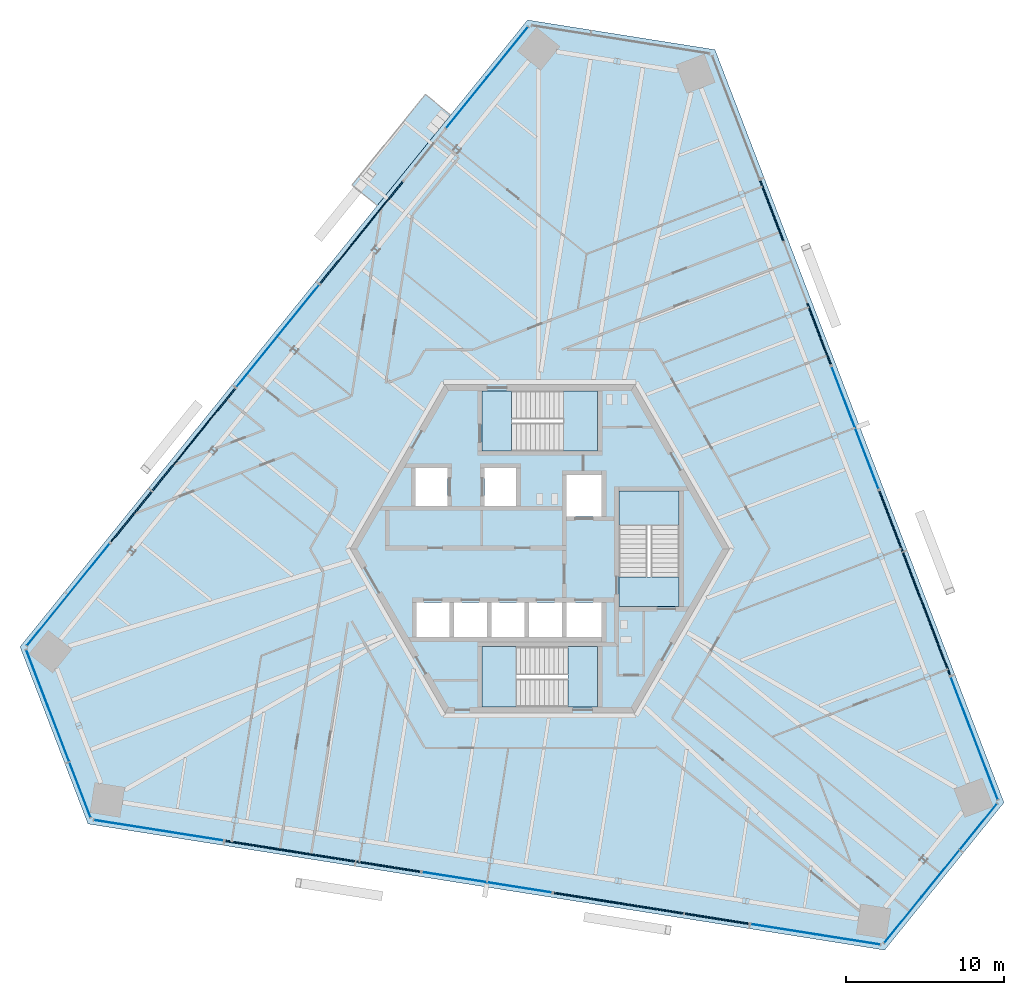
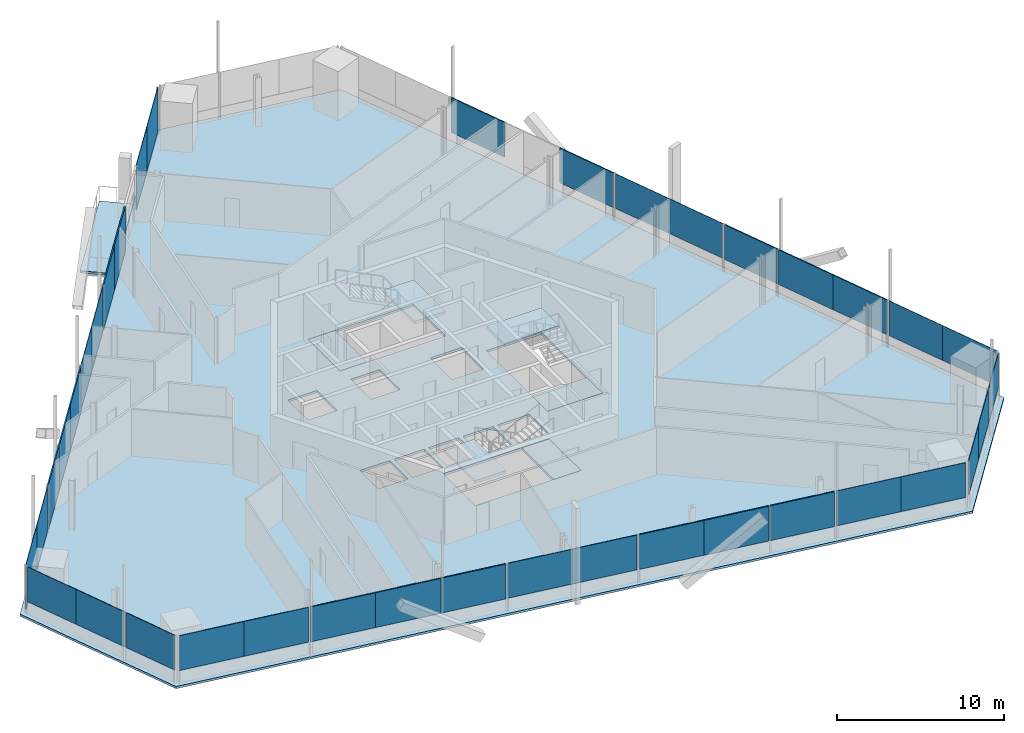
# One storey, part 10 of 21: 38 plates, 8 slabs, 19 elements without a shape of their own.
"""IFC4 building model written with IfcOpenShell, lengths in metres."""

from ifc_helpers import new_model, si_unit, direction, frame, origin, origin_2d, place, context, subcontext, project, spatial, polyline, rectangle, outline, extrude, source, transform, mapped, material, layer, layer_set, type_object, element, aggregate, save


model = new_model("IFC4")

# Units and contexts
model_context = context("Model", 3, precision=1e-05, world=origin(), true_north=direction((0.0, 1.0)))
body_context = subcontext(model_context, "Body", "Model", "MODEL_VIEW")
ifc_project = project(units=[si_unit("LENGTHUNIT", "METRE"), si_unit("AREAUNIT", "SQUARE_METRE"), si_unit("VOLUMEUNIT", "CUBIC_METRE"), si_unit("PLANEANGLEUNIT", "RADIAN"), si_unit("MASSUNIT", "GRAM", prefix="KILO")], contexts=[model_context])

# Site, building, storey
site_placement = place(None, origin())
site = spatial("IfcSite", under=ifc_project, at=site_placement, CompositionType="ELEMENT")
building_placement = place(site_placement, origin())
building = spatial("IfcBuilding", under=site, at=building_placement, Name="Triune Harvest Tower", CompositionType="ELEMENT")
storey_placement = place(building_placement, frame((0.0, 0.0, 160.5)))
storey = spatial("IfcBuildingStorey", under=building, at=storey_placement, Name="L41", CompositionType="ELEMENT", Elevation=160.5)

# Slab
ifc_material_1 = material(Name="Concrete 40 MPa", Category="concrete")
ifc_layer_1 = layer(ifc_material_1, 0.159912109375)
ifc_layer_set_1 = layer_set([ifc_layer_1], Name="Concrete 40 MPa")
slab_type_1 = type_object("IfcSlabType", Name="BA-1 balcony slab 160", PredefinedType="FLOOR", material=ifc_layer_set_1)
slab_1_placement = place(storey_placement, frame((0.0, 0.0, -0.159912109375)))
element("IfcSlab", 1, at=slab_1_placement, inside=storey, type_object=slab_type_1, Name="Balcony slab B4-F3 L41.3", PredefinedType="FLOOR", context=body_context, shape_type="SweptSolid", body=[
    extrude(outline(polyline([(-5.64013671875, 27.43798828125), (-10.2822265625, 21.705810546875), (-11.88427734375, 23.0029296875), (-7.2421875, 28.7353515625), (-5.64013671875, 27.43798828125)])), origin(), (0.0, 0.0, 1.0), 0.159912109375),
])

# Curtain wall, plate
ifc_material_2 = material(Name="Aluminium bronze anodised", Category="aluminium")
curtain_wall_type_1 = type_object("IfcCurtainWallType", Name="CW-10 Balcony window wall with insulated spandrel infill", PredefinedType="NOTDEFINED", material=ifc_material_2)
curtain_wall_1_placement = place(storey_placement, origin())
curtain_wall_1 = element("IfcCurtainWall", 2, at=curtain_wall_1_placement, inside=storey, type_object=curtain_wall_type_1, Name="CW-10 B4-F3 L41 run 2002")
ifc_material_3 = material(Name="Insulated spandrel panel, bronze aluminium pan", Category="aluminium")
ifc_layer_2 = layer(ifc_material_3, 0.080078125)
ifc_layer_set_2 = layer_set([ifc_layer_2], Name="Insulated spandrel panel, bronze aluminium pan")
plate_type_1 = type_object("IfcPlateType", Name="SP-1 insulated spandrel panel 80", PredefinedType="CURTAIN_PANEL", material=ifc_layer_set_2)
plate_1_placement = place(storey_placement, frame((-25.83740234375, 2.02001953125, 0.14990234375), z_axis=(0.0, 0.0, 1.0), x_axis=(-0.629317539971, -0.777148270206, 0.0)))
plate_1 = element("IfcPlate", 3, at=plate_1_placement, type_object=plate_type_1, Name="CW-10 panel B4-F3 2002.3", PredefinedType="CURTAIN_PANEL", context=body_context, shape_type="SweptSolid", body=[
    extrude(rectangle(XDim=4.0986328125, YDim=0.080078125, at=origin_2d()), origin(), (0.0, 0.0, 1.0), 3.2900390625),
])

# Slab
ifc_material_4 = material(Name="Concrete 40 MPa", Category="concrete")
ifc_layer_3 = layer(ifc_material_4, 0.159912109375)
ifc_layer_set_3 = layer_set([ifc_layer_3], Name="Concrete 40 MPa")
slab_type_2 = type_object("IfcSlabType", Name="SL-1 Composite floor slab 160", PredefinedType="FLOOR", material=ifc_layer_set_3)
shared_shape_1 = source(origin(), body_context, "Body", "SweptSolid", [
    extrude(outline(polyline([(29.35107421875, -16.04736328125), (11.07421875, 31.565185546875), (-0.778076171875, 33.4423828125), (-32.873291015625, -6.19189453125), (-28.572998046875, -17.39501953125), (21.799072265625, -25.373291015625), (29.35107421875, -16.04736328125)]), holes=[polyline([(-5.72509765625, -5.590087890625), (-5.72509765625, -3.389892578125), (-7.800048828125, -3.389892578125), (-7.800048828125, -5.590087890625), (-5.72509765625, -5.590087890625)]), polyline([(-3.35009765625, -5.590087890625), (-3.35009765625, -3.389892578125), (-5.425048828125, -3.389892578125), (-5.425048828125, -5.590087890625), (-3.35009765625, -5.590087890625)]), polyline([(-0.97509765625, -5.590087890625), (-0.97509765625, -3.389892578125), (-3.050048828125, -3.389892578125), (-3.050048828125, -5.590087890625), (-0.97509765625, -5.590087890625)]), polyline([(1.39990234375, -5.590087890625), (1.39990234375, -3.389892578125), (-0.675048828125, -3.389892578125), (-0.675048828125, -5.590087890625), (1.39990234375, -5.590087890625)]), polyline([(3.89990234375, 2.06005859375), (3.89990234375, 4.659912109375), (1.699951171875, 4.659912109375), (1.699951171875, 2.06005859375), (3.89990234375, 2.06005859375)]), polyline([(3.89990234375, -5.590087890625), (3.89990234375, -3.389892578125), (1.699951171875, -3.389892578125), (1.699951171875, -5.590087890625), (3.89990234375, -5.590087890625)]), polyline([(-5.85009765625, 2.7099609375), (-5.85009765625, 5.110107421875), (-7.85009765625, 5.110107421875), (-7.85009765625, 2.7099609375), (-5.85009765625, 2.7099609375)]), polyline([(-1.5, 2.7099609375), (-1.5, 5.110107421875), (-3.5, 5.110107421875), (-3.5, 2.7099609375), (-1.5, 2.7099609375)]), polyline([(3.64990234375, 6.18994140625), (3.64990234375, 9.989990234375), (-3.64990234375, 9.989990234375), (-3.64990234375, 6.18994140625), (3.64990234375, 6.18994140625)]), polyline([(3.64990234375, -9.989990234375), (3.64990234375, -6.18994140625), (-3.64990234375, -6.18994140625), (-3.64990234375, -9.989990234375), (3.64990234375, -9.989990234375)]), polyline([(8.800048828125, -3.64990234375), (8.800048828125, 3.64990234375), (5.0, 3.64990234375), (5.0, -3.64990234375), (8.800048828125, -3.64990234375)])]), origin(), (0.0, 0.0, 1.0), 0.159912109375),
])
slab_2_placement = place(storey_placement, frame((0.0, 0.0, -0.159912109375)))
element("IfcSlab", 4, at=slab_2_placement, inside=storey, type_object=slab_type_2, Name="slab/L41/1", PredefinedType="FLOOR", context=body_context, shape_type="MappedRepresentation", body=[
    mapped(shared_shape_1, transform((0.0, 0.0, 0.0), scale=1.0)),
])

# Stair, slabs
ifc_material_5 = material(Name="Concrete 40 MPa", Category="concrete")
stair_type = type_object("IfcStairType", Name="Exit stair 1800 half turn", PredefinedType="HALF_TURN_STAIR", material=ifc_material_5)
stair_1_placement = place(storey_placement, origin())
stair_1 = element("IfcStair", 5, at=stair_1_placement, inside=storey, type_object=stair_type, Name="Exit stair north", PredefinedType="HALF_TURN_STAIR")
ifc_material_6 = material(Name="Concrete 40 MPa", Category="concrete")
ifc_layer_4 = layer(ifc_material_6, 0.199951171875)
ifc_layer_set_4 = layer_set([ifc_layer_4], Name="Concrete 40 MPa")
slab_type_3 = type_object("IfcSlabType", Name="Stair landing 200", PredefinedType="LANDING", material=ifc_layer_set_4)
shared_shape_2 = source(origin(), body_context, "Body", "SweptSolid", [
    extrude(outline(polyline([(1.510009765625, 6.18994140625), (3.64990234375, 6.18994140625), (3.64990234375, 9.989990234375), (1.510009765625, 9.989990234375), (1.510009765625, 6.18994140625)])), origin(), (0.0, 0.0, 1.0), 0.199951171875),
])
slab_3_placement = place(storey_placement, frame((0.0, 0.0, 1.60009765625)))
slab_3 = element("IfcSlab", 6, at=slab_3_placement, type_object=slab_type_3, Name="ST-1 landing 2", PredefinedType="LANDING", context=body_context, shape_type="MappedRepresentation", body=[
    mapped(shared_shape_2, transform((0.0, 0.0, 0.0), scale=1.0)),
])
shared_shape_3 = source(origin(), body_context, "Body", "SweptSolid", [
    extrude(outline(polyline([(-3.64990234375, 6.18994140625), (-1.780029296875, 6.18994140625), (-1.780029296875, 9.989990234375), (-3.64990234375, 9.989990234375), (-3.64990234375, 6.18994140625)])), origin(), (0.0, 0.0, 1.0), 0.199951171875),
])
slab_4_placement = place(storey_placement, frame((0.0, 0.0, -0.199951171875)))
slab_4 = element("IfcSlab", 7, at=slab_4_placement, type_object=slab_type_3, Name="ST-1 landing 1", PredefinedType="LANDING", context=body_context, shape_type="MappedRepresentation", body=[
    mapped(shared_shape_3, transform((0.0, 0.0, 0.0), scale=1.0)),
])
aggregate(stair_1, [slab_4, slab_3])

stair_2_placement = place(storey_placement, origin())
stair_2 = element("IfcStair", 8, at=stair_2_placement, inside=storey, type_object=stair_type, Name="Exit stair south", PredefinedType="HALF_TURN_STAIR")
shared_shape_4 = source(origin(), body_context, "Body", "SweptSolid", [
    extrude(outline(polyline([(-1.510009765625, -6.18994140625), (-3.64990234375, -6.18994140625), (-3.64990234375, -9.989990234375), (-1.510009765625, -9.989990234375), (-1.510009765625, -6.18994140625)])), origin(), (0.0, 0.0, 1.0), 0.199951171875),
])
slab_5_placement = place(storey_placement, frame((0.0, 0.0, 1.60009765625)))
slab_5 = element("IfcSlab", 9, at=slab_5_placement, type_object=slab_type_3, Name="ST-2 landing 2", PredefinedType="LANDING", context=body_context, shape_type="MappedRepresentation", body=[
    mapped(shared_shape_4, transform((0.0, 0.0, 0.0), scale=1.0)),
])
shared_shape_5 = source(origin(), body_context, "Body", "SweptSolid", [
    extrude(outline(polyline([(3.64990234375, -6.18994140625), (1.780029296875, -6.18994140625), (1.780029296875, -9.989990234375), (3.64990234375, -9.989990234375), (3.64990234375, -6.18994140625)])), origin(), (0.0, 0.0, 1.0), 0.199951171875),
])
slab_6_placement = place(storey_placement, frame((0.0, 0.0, -0.199951171875)))
slab_6 = element("IfcSlab", 10, at=slab_6_placement, type_object=slab_type_3, Name="ST-2 landing 1", PredefinedType="LANDING", context=body_context, shape_type="MappedRepresentation", body=[
    mapped(shared_shape_5, transform((0.0, 0.0, 0.0), scale=1.0)),
])
aggregate(stair_2, [slab_6, slab_5])

stair_3_placement = place(storey_placement, origin())
stair_3 = element("IfcStair", 11, at=stair_3_placement, inside=storey, type_object=stair_type, Name="Exit stair east", PredefinedType="HALF_TURN_STAIR")
shared_shape_6 = source(origin(), body_context, "Body", "SweptSolid", [
    extrude(outline(polyline([(8.800048828125, 1.510009765625), (8.800048828125, 3.64990234375), (5.0, 3.64990234375), (5.0, 1.510009765625), (8.800048828125, 1.510009765625)])), origin(), (0.0, 0.0, 1.0), 0.199951171875),
])
slab_7_placement = place(storey_placement, frame((0.0, 0.0, 1.60009765625)))
slab_7 = element("IfcSlab", 12, at=slab_7_placement, type_object=slab_type_3, Name="ST-3 landing 2", PredefinedType="LANDING", context=body_context, shape_type="MappedRepresentation", body=[
    mapped(shared_shape_6, transform((0.0, 0.0, 0.0), scale=1.0)),
])
shared_shape_7 = source(origin(), body_context, "Body", "SweptSolid", [
    extrude(outline(polyline([(8.800048828125, -3.64990234375), (8.800048828125, -1.780029296875), (5.0, -1.780029296875), (5.0, -3.64990234375), (8.800048828125, -3.64990234375)])), origin(), (0.0, 0.0, 1.0), 0.199951171875),
])
slab_8_placement = place(storey_placement, frame((0.0, 0.0, -0.199951171875)))
slab_8 = element("IfcSlab", 13, at=slab_8_placement, type_object=slab_type_3, Name="ST-3 landing 1", PredefinedType="LANDING", context=body_context, shape_type="MappedRepresentation", body=[
    mapped(shared_shape_7, transform((0.0, 0.0, 0.0), scale=1.0)),
])
aggregate(stair_3, [slab_8, slab_7])

# Curtain wall, plate
ifc_material_7 = material(Name="Aluminium bronze anodised", Category="aluminium")
curtain_wall_type_2 = type_object("IfcCurtainWallType", Name="CW-1 Tower stick curtain wall", PredefinedType="NOTDEFINED", material=ifc_material_7)
curtain_wall_2_placement = place(storey_placement, origin())
curtain_wall_2 = element("IfcCurtainWall", 14, at=curtain_wall_2_placement, inside=storey, type_object=curtain_wall_type_2, Name="CW-1 B4-F4 L41 run 1")
ifc_material_8 = material(Name="Glass", Category="glass")
ifc_layer_5 = layer(ifc_material_8, 0.031982421875)
ifc_layer_set_5 = layer_set([ifc_layer_5], Name="Glass")
plate_type_2 = type_object("IfcPlateType", Name="GL-1 panel 32", PredefinedType="CURTAIN_PANEL", material=ifc_layer_set_5)
shared_shape_8 = source(origin(), body_context, "Body", "SweptSolid", [
    extrude(rectangle(XDim=3.74951171875, YDim=0.031982421875, at=origin_2d()), origin(), (0.0, 0.0, 1.0), 2.5400390625),
])
plate_2_placement = place(storey_placement, frame((-31.80029296875, -8.150390625, 0.89990234375), z_axis=(0.0, 0.0, 1.0), x_axis=(0.358368910177, -0.933580057745, 0.0)))
plate_2 = element("IfcPlate", 15, at=plate_2_placement, type_object=plate_type_2, Name="CW-1 panel B4-F4 1.1", PredefinedType="CURTAIN_PANEL", context=body_context, shape_type="MappedRepresentation", body=[
    mapped(shared_shape_8, transform((0.0, 0.0, 0.0), scale=1.0)),
])

curtain_wall_3_placement = place(storey_placement, origin())
curtain_wall_3 = element("IfcCurtainWall", 16, at=curtain_wall_3_placement, inside=storey, type_object=curtain_wall_type_2, Name="CW-1 B4-F6 L41 run 1")
plate_3_placement = place(storey_placement, frame((22.958740234375, -23.464599609375, 0.89990234375), z_axis=(0.0, 0.0, 1.0), x_axis=(0.629320905414, 0.777145544932, 0.0)))
plate_3 = element("IfcPlate", 17, at=plate_3_placement, type_object=plate_type_2, Name="CW-1 panel B4-F6 1.1", PredefinedType="CURTAIN_PANEL", context=body_context, shape_type="MappedRepresentation", body=[
    mapped(shared_shape_8, transform((0.0, 0.0, 0.0), scale=1.0)),
])

# Plate
shared_shape_9 = source(origin(), body_context, "Body", "SweptSolid", [
    extrude(rectangle(XDim=3.787109375, YDim=0.031982421875, at=origin_2d()), origin(), (0.0, 0.0, 1.0), 2.5400390625),
])
plate_4_placement = place(storey_placement, frame((-30.449951171875, -11.66845703125, 0.89990234375), z_axis=(0.0, 0.0, 1.0), x_axis=(0.358368910177, -0.933580057745, 0.0)))
plate_4 = element("IfcPlate", 18, at=plate_4_placement, type_object=plate_type_2, Name="CW-1 panel B4-F4 1.2", PredefinedType="CURTAIN_PANEL", context=body_context, shape_type="MappedRepresentation", body=[
    mapped(shared_shape_9, transform((0.0, 0.0, 0.0), scale=1.0)),
])

plate_5_placement = place(storey_placement, frame((25.330078125, -20.5361328125, 0.89990234375), z_axis=(0.0, 0.0, 1.0), x_axis=(0.629320905414, 0.777145544932, 0.0)))
plate_5 = element("IfcPlate", 19, at=plate_5_placement, type_object=plate_type_2, Name="CW-1 panel B4-F6 1.2", PredefinedType="CURTAIN_PANEL", context=body_context, shape_type="MappedRepresentation", body=[
    mapped(shared_shape_9, transform((0.0, 0.0, 0.0), scale=1.0)),
])

# Curtain wall, plate
ifc_material_9 = material(Name="Aluminium bronze anodised", Category="aluminium")
curtain_wall_type_3 = type_object("IfcCurtainWallType", Name="CW-7 Tower stick curtain wall with insulated spandrel infill", PredefinedType="NOTDEFINED", material=ifc_material_9)
curtain_wall_4_placement = place(storey_placement, origin())
curtain_wall_4 = element("IfcCurtainWall", 20, at=curtain_wall_4_placement, inside=storey, type_object=curtain_wall_type_3, Name="CW-7 B4-F1 L41 run 1001")
shared_shape_10 = source(origin(), body_context, "Body", "SweptSolid", [
    extrude(rectangle(XDim=4.131103515625, YDim=0.080078125, at=origin_2d()), origin(), (0.0, 0.0, 1.0), 2.5400390625),
])
plate_6_placement = place(storey_placement, frame((25.19482421875, -6.057373046875, 0.89990234375), z_axis=(0.0, 0.0, 1.0), x_axis=(-0.358365636212, 0.933581314499, 0.0)))
plate_6 = element("IfcPlate", 21, at=plate_6_placement, type_object=plate_type_1, Name="CW-7 panel B4-F1 1001.1", PredefinedType="CURTAIN_PANEL", context=body_context, shape_type="MappedRepresentation", body=[
    mapped(shared_shape_10, transform((0.0, 0.0, 0.0), scale=1.0)),
])

curtain_wall_5_placement = place(storey_placement, origin())
curtain_wall_5 = element("IfcCurtainWall", 22, at=curtain_wall_5_placement, inside=storey, type_object=curtain_wall_type_3, Name="CW-7 B4-F1 L41 run 3001")
plate_7_placement = place(storey_placement, frame((17.658203125, 13.57666015625, 0.89990234375), z_axis=(0.0, 0.0, 1.0), x_axis=(-0.358365636212, 0.933581314499, 0.0)))
plate_7 = element("IfcPlate", 23, at=plate_7_placement, type_object=plate_type_1, Name="CW-7 panel B4-F1 3001.1", PredefinedType="CURTAIN_PANEL", context=body_context, shape_type="MappedRepresentation", body=[
    mapped(shared_shape_10, transform((0.0, 0.0, 0.0), scale=1.0)),
])

curtain_wall_6_placement = place(storey_placement, origin())
curtain_wall_6 = element("IfcCurtainWall", 24, at=curtain_wall_6_placement, inside=storey, type_object=curtain_wall_type_3, Name="CW-7 B4-F5 L41 run 1001")
plate_8_placement = place(storey_placement, frame((-17.84326171875, -18.790771484375, 0.89990234375), z_axis=(0.0, 0.0, 1.0), x_axis=(0.987688895028, -0.156430964452, 0.0)))
plate_8 = element("IfcPlate", 25, at=plate_8_placement, type_object=plate_type_1, Name="CW-7 panel B4-F5 1001.1", PredefinedType="CURTAIN_PANEL", context=body_context, shape_type="MappedRepresentation", body=[
    mapped(shared_shape_10, transform((0.0, 0.0, 0.0), scale=1.0)),
])

curtain_wall_7_placement = place(storey_placement, origin())
curtain_wall_7 = element("IfcCurtainWall", 26, at=curtain_wall_7_placement, inside=storey, type_object=curtain_wall_type_3, Name="CW-7 B4-F5 L41 run 3001")
plate_9_placement = place(storey_placement, frame((2.9287109375, -22.08056640625, 0.89990234375), z_axis=(0.0, 0.0, 1.0), x_axis=(0.987688895028, -0.156430964452, 0.0)))
plate_9 = element("IfcPlate", 27, at=plate_9_placement, type_object=plate_type_1, Name="CW-7 panel B4-F5 3001.1", PredefinedType="CURTAIN_PANEL", context=body_context, shape_type="MappedRepresentation", body=[
    mapped(shared_shape_10, transform((0.0, 0.0, 0.0), scale=1.0)),
])

# Plate
shared_shape_11 = source(origin(), body_context, "Body", "SweptSolid", [
    extrude(rectangle(XDim=4.168701171875, YDim=0.080078125, at=origin_2d()), origin(), (0.0, 0.0, 1.0), 2.5400390625),
])
plate_10_placement = place(storey_placement, frame((23.70751953125, -2.18310546875, 0.89990234375), z_axis=(0.0, 0.0, 1.0), x_axis=(-0.358365636212, 0.933581314499, 0.0)))
plate_10 = element("IfcPlate", 28, at=plate_10_placement, type_object=plate_type_1, Name="CW-7 panel B4-F1 1001.2", PredefinedType="CURTAIN_PANEL", context=body_context, shape_type="MappedRepresentation", body=[
    mapped(shared_shape_11, transform((0.0, 0.0, 0.0), scale=1.0)),
])

plate_11_placement = place(storey_placement, frame((-13.744384765625, -19.43994140625, 0.89990234375), z_axis=(0.0, 0.0, 1.0), x_axis=(0.987688895028, -0.156430964452, 0.0)))
plate_11 = element("IfcPlate", 29, at=plate_11_placement, type_object=plate_type_1, Name="CW-7 panel B4-F5 1001.2", PredefinedType="CURTAIN_PANEL", context=body_context, shape_type="MappedRepresentation", body=[
    mapped(shared_shape_11, transform((0.0, 0.0, 0.0), scale=1.0)),
])

plate_12_placement = place(storey_placement, frame((7.02734375, -22.729736328125, 0.89990234375), z_axis=(0.0, 0.0, 1.0), x_axis=(0.987688895028, -0.156430964452, 0.0)))
plate_12 = element("IfcPlate", 30, at=plate_12_placement, type_object=plate_type_1, Name="CW-7 panel B4-F5 3001.2", PredefinedType="CURTAIN_PANEL", context=body_context, shape_type="MappedRepresentation", body=[
    mapped(shared_shape_11, transform((0.0, 0.0, 0.0), scale=1.0)),
])

shared_shape_12 = source(origin(), body_context, "Body", "SweptSolid", [
    extrude(rectangle(XDim=3.712158203125, YDim=0.031982421875, at=origin_2d()), origin(), (0.0, 0.0, 1.0), 2.5400390625),
])
plate_13_placement = place(storey_placement, frame((-29.079345703125, -15.239013671875, 0.89990234375), z_axis=(0.0, 0.0, 1.0), x_axis=(0.358368910177, -0.933580057745, 0.0)))
plate_13 = element("IfcPlate", 31, at=plate_13_placement, type_object=plate_type_2, Name="CW-1 panel B4-F4 1.3", PredefinedType="CURTAIN_PANEL", context=body_context, shape_type="MappedRepresentation", body=[
    mapped(shared_shape_12, transform((0.0, 0.0, 0.0), scale=1.0)),
])

aggregate(curtain_wall_2, [plate_2, plate_4, plate_13])

plate_14_placement = place(storey_placement, frame((27.737060546875, -17.563720703125, 0.89990234375), z_axis=(0.0, 0.0, 1.0), x_axis=(0.629320905414, 0.777145544932, 0.0)))
plate_14 = element("IfcPlate", 32, at=plate_14_placement, type_object=plate_type_2, Name="CW-1 panel B4-F6 1.3", PredefinedType="CURTAIN_PANEL", context=body_context, shape_type="MappedRepresentation", body=[
    mapped(shared_shape_12, transform((0.0, 0.0, 0.0), scale=1.0)),
])

aggregate(curtain_wall_3, [plate_3, plate_5, plate_14])

# Curtain wall, plates
curtain_wall_8_placement = place(storey_placement, origin())
curtain_wall_8 = element("IfcCurtainWall", 33, at=curtain_wall_8_placement, inside=storey, type_object=curtain_wall_type_2, Name="CW-1 B4-F1 L41 run 1")
shared_shape_13 = source(origin(), body_context, "Body", "SweptSolid", [
    extrude(rectangle(XDim=4.131103515625, YDim=0.031982421875, at=origin_2d()), origin(), (0.0, 0.0, 1.0), 2.5400390625),
])
plate_15_placement = place(storey_placement, frame((28.20947265625, -13.910888671875, 0.89990234375), z_axis=(0.0, 0.0, 1.0), x_axis=(-0.35837614337, 0.933577281141, 0.0)))
plate_15 = element("IfcPlate", 34, at=plate_15_placement, type_object=plate_type_2, Name="CW-1 panel B4-F1 1.1", PredefinedType="CURTAIN_PANEL", context=body_context, shape_type="MappedRepresentation", body=[
    mapped(shared_shape_13, transform((0.0, 0.0, 0.0), scale=1.0)),
])
plate_16_placement = place(storey_placement, frame((26.72900390625, -10.05419921875, 0.89990234375), z_axis=(0.0, 0.0, 1.0), x_axis=(-0.35837614337, 0.933577281141, 0.0)))
plate_16 = element("IfcPlate", 35, at=plate_16_placement, type_object=plate_type_2, Name="CW-1 panel B4-F1 1.2", PredefinedType="CURTAIN_PANEL", context=body_context, shape_type="MappedRepresentation", body=[
    mapped(shared_shape_13, transform((0.0, 0.0, 0.0), scale=1.0)),
])
aggregate(curtain_wall_8, [plate_15, plate_16])

curtain_wall_9_placement = place(storey_placement, origin())
curtain_wall_9 = element("IfcCurtainWall", 36, at=curtain_wall_9_placement, inside=storey, type_object=curtain_wall_type_2, Name="CW-1 B4-F1 L41 run 2001")
plate_17_placement = place(storey_placement, frame((20.6728515625, 5.722900390625, 0.89990234375), z_axis=(0.0, 0.0, 1.0), x_axis=(-0.358366438386, 0.933581006576, 0.0)))
plate_17 = element("IfcPlate", 37, at=plate_17_placement, type_object=plate_type_2, Name="CW-1 panel B4-F1 2001.1", PredefinedType="CURTAIN_PANEL", context=body_context, shape_type="MappedRepresentation", body=[
    mapped(shared_shape_13, transform((0.0, 0.0, 0.0), scale=1.0)),
])
plate_18_placement = place(storey_placement, frame((19.1923828125, 9.579833984375, 0.89990234375), z_axis=(0.0, 0.0, 1.0), x_axis=(-0.358366438386, 0.933581006576, 0.0)))
plate_18 = element("IfcPlate", 38, at=plate_18_placement, type_object=plate_type_2, Name="CW-1 panel B4-F1 2001.2", PredefinedType="CURTAIN_PANEL", context=body_context, shape_type="MappedRepresentation", body=[
    mapped(shared_shape_13, transform((0.0, 0.0, 0.0), scale=1.0)),
])
aggregate(curtain_wall_9, [plate_17, plate_18])

curtain_wall_10_placement = place(storey_placement, origin())
curtain_wall_10 = element("IfcCurtainWall", 39, at=curtain_wall_10_placement, inside=storey, type_object=curtain_wall_type_2, Name="CW-1 B4-F5 L41 run 1")
plate_19_placement = place(storey_placement, frame((-26.15185546875, -17.474853515625, 0.89990234375), z_axis=(0.0, 0.0, 1.0), x_axis=(0.987687407957, -0.156440353369, 0.0)))
plate_19 = element("IfcPlate", 40, at=plate_19_placement, type_object=plate_type_2, Name="CW-1 panel B4-F5 1.1", PredefinedType="CURTAIN_PANEL", context=body_context, shape_type="MappedRepresentation", body=[
    mapped(shared_shape_13, transform((0.0, 0.0, 0.0), scale=1.0)),
])
plate_20_placement = place(storey_placement, frame((-22.071533203125, -18.12109375, 0.89990234375), z_axis=(0.0, 0.0, 1.0), x_axis=(0.987687407957, -0.156440353369, 0.0)))
plate_20 = element("IfcPlate", 41, at=plate_20_placement, type_object=plate_type_2, Name="CW-1 panel B4-F5 1.2", PredefinedType="CURTAIN_PANEL", context=body_context, shape_type="MappedRepresentation", body=[
    mapped(shared_shape_13, transform((0.0, 0.0, 0.0), scale=1.0)),
])
aggregate(curtain_wall_10, [plate_19, plate_20])

curtain_wall_11_placement = place(storey_placement, origin())
curtain_wall_11 = element("IfcCurtainWall", 42, at=curtain_wall_11_placement, inside=storey, type_object=curtain_wall_type_2, Name="CW-1 B4-F5 L41 run 2001")
plate_21_placement = place(storey_placement, frame((-5.380126953125, -20.7646484375, 0.89990234375), z_axis=(0.0, 0.0, 1.0), x_axis=(0.987688058439, -0.156436246492, 0.0)))
plate_21 = element("IfcPlate", 43, at=plate_21_placement, type_object=plate_type_2, Name="CW-1 panel B4-F5 2001.1", PredefinedType="CURTAIN_PANEL", context=body_context, shape_type="MappedRepresentation", body=[
    mapped(shared_shape_13, transform((0.0, 0.0, 0.0), scale=1.0)),
])
plate_22_placement = place(storey_placement, frame((-1.2998046875, -21.410888671875, 0.89990234375), z_axis=(0.0, 0.0, 1.0), x_axis=(0.987688058439, -0.156436246492, 0.0)))
plate_22 = element("IfcPlate", 44, at=plate_22_placement, type_object=plate_type_2, Name="CW-1 panel B4-F5 2001.2", PredefinedType="CURTAIN_PANEL", context=body_context, shape_type="MappedRepresentation", body=[
    mapped(shared_shape_13, transform((0.0, 0.0, 0.0), scale=1.0)),
])
aggregate(curtain_wall_11, [plate_21, plate_22])

curtain_wall_12_placement = place(storey_placement, origin())
curtain_wall_12 = element("IfcCurtainWall", 45, at=curtain_wall_12_placement, inside=storey, type_object=curtain_wall_type_2, Name="CW-1 B4-F5 L41 run 4001")
plate_23_placement = place(storey_placement, frame((15.3916015625, -24.0546875, 0.89990234375), z_axis=(0.0, 0.0, 1.0), x_axis=(0.987687407957, -0.156440353369, 0.0)))
plate_23 = element("IfcPlate", 46, at=plate_23_placement, type_object=plate_type_2, Name="CW-1 panel B4-F5 4001.1", PredefinedType="CURTAIN_PANEL", context=body_context, shape_type="MappedRepresentation", body=[
    mapped(shared_shape_13, transform((0.0, 0.0, 0.0), scale=1.0)),
])
plate_24_placement = place(storey_placement, frame((19.471923828125, -24.700927734375, 0.89990234375), z_axis=(0.0, 0.0, 1.0), x_axis=(0.987687407957, -0.156440353369, 0.0)))
plate_24 = element("IfcPlate", 47, at=plate_24_placement, type_object=plate_type_2, Name="CW-1 panel B4-F5 4001.2", PredefinedType="CURTAIN_PANEL", context=body_context, shape_type="MappedRepresentation", body=[
    mapped(shared_shape_13, transform((0.0, 0.0, 0.0), scale=1.0)),
])
aggregate(curtain_wall_12, [plate_23, plate_24])

ifc_material_10 = material(Name="Aluminium bronze anodised", Category="aluminium")
curtain_wall_type_4 = type_object("IfcCurtainWallType", Name="CW-6 Balcony window wall", PredefinedType="NOTDEFINED", material=ifc_material_10)
curtain_wall_13_placement = place(storey_placement, origin())
curtain_wall_13 = element("IfcCurtainWall", 48, at=curtain_wall_13_placement, inside=storey, type_object=curtain_wall_type_4, Name="CW-6 B4-F3 L41 run 1002")
ifc_material_11 = material(Name="Glass", Category="glass")
ifc_layer_6 = layer(ifc_material_11, 0.030029296875)
ifc_layer_set_6 = layer_set([ifc_layer_6], Name="Glass")
plate_type_3 = type_object("IfcPlateType", Name="GL-6 panel 30", PredefinedType="CURTAIN_PANEL", material=ifc_layer_set_6)
shared_shape_14 = source(origin(), body_context, "Body", "SweptSolid", [
    extrude(rectangle(XDim=4.13623046875, YDim=0.030029296875, at=origin_2d()), origin(), (0.0, 0.0, 1.0), 3.2900390625),
])
plate_25_placement = place(storey_placement, frame((-15.272216796875, 15.06689453125, 0.14990234375), z_axis=(0.0, 0.0, 1.0), x_axis=(-0.629321865944, -0.777144767109, 0.0)))
plate_25 = element("IfcPlate", 49, at=plate_25_placement, type_object=plate_type_3, Name="CW-6 panel B4-F3 1002.1", PredefinedType="CURTAIN_PANEL", context=body_context, shape_type="MappedRepresentation", body=[
    mapped(shared_shape_14, transform((0.0, 0.0, 0.0), scale=1.0)),
])
plate_26_placement = place(storey_placement, frame((-17.875244140625, 11.8525390625, 0.14990234375), z_axis=(0.0, 0.0, 1.0), x_axis=(-0.629321865944, -0.777144767109, 0.0)))
plate_26 = element("IfcPlate", 50, at=plate_26_placement, type_object=plate_type_3, Name="CW-6 panel B4-F3 1002.2", PredefinedType="CURTAIN_PANEL", context=body_context, shape_type="MappedRepresentation", body=[
    mapped(shared_shape_14, transform((0.0, 0.0, 0.0), scale=1.0)),
])
aggregate(curtain_wall_13, [plate_25, plate_26])

curtain_wall_14_placement = place(storey_placement, origin())
curtain_wall_14 = element("IfcCurtainWall", 51, at=curtain_wall_14_placement, inside=storey, type_object=curtain_wall_type_4, Name="CW-6 B4-F3 L41 run 3002")
plate_27_placement = place(storey_placement, frame((-28.52294921875, -1.29638671875, 0.14990234375), z_axis=(0.0, 0.0, 1.0), x_axis=(-0.629322938578, -0.777143898503, 0.0)))
plate_27 = element("IfcPlate", 52, at=plate_27_placement, type_object=plate_type_3, Name="CW-6 panel B4-F3 3002.1", PredefinedType="CURTAIN_PANEL", context=body_context, shape_type="MappedRepresentation", body=[
    mapped(shared_shape_14, transform((0.0, 0.0, 0.0), scale=1.0)),
])
plate_28_placement = place(storey_placement, frame((-31.1259765625, -4.5107421875, 0.14990234375), z_axis=(0.0, 0.0, 1.0), x_axis=(-0.629322938578, -0.777143898503, 0.0)))
plate_28 = element("IfcPlate", 53, at=plate_28_placement, type_object=plate_type_3, Name="CW-6 panel B4-F3 3002.2", PredefinedType="CURTAIN_PANEL", context=body_context, shape_type="MappedRepresentation", body=[
    mapped(shared_shape_14, transform((0.0, 0.0, 0.0), scale=1.0)),
])
aggregate(curtain_wall_14, [plate_27, plate_28])

curtain_wall_15_placement = place(storey_placement, origin())
curtain_wall_15 = element("IfcCurtainWall", 54, at=curtain_wall_15_placement, inside=storey, type_object=curtain_wall_type_1, Name="CW-10 B4-F3 L41 run 2")
shared_shape_15 = source(origin(), body_context, "Body", "SweptSolid", [
    extrude(rectangle(XDim=4.13623046875, YDim=0.080078125, at=origin_2d()), origin(), (0.0, 0.0, 1.0), 3.2900390625),
])
plate_29_placement = place(storey_placement, frame((-9.971923828125, 21.6123046875, 0.14990234375), z_axis=(0.0, 0.0, 1.0), x_axis=(-0.629325451389, -0.777141863648, 0.0)))
plate_29 = element("IfcPlate", 55, at=plate_29_placement, type_object=plate_type_1, Name="CW-10 panel B4-F3 2.1", PredefinedType="CURTAIN_PANEL", context=body_context, shape_type="MappedRepresentation", body=[
    mapped(shared_shape_15, transform((0.0, 0.0, 0.0), scale=1.0)),
])
plate_30_placement = place(storey_placement, frame((-12.574951171875, 18.39794921875, 0.14990234375), z_axis=(0.0, 0.0, 1.0), x_axis=(-0.629325451389, -0.777141863648, 0.0)))
plate_30 = element("IfcPlate", 56, at=plate_30_placement, type_object=plate_type_1, Name="CW-10 panel B4-F3 2.2", PredefinedType="CURTAIN_PANEL", context=body_context, shape_type="MappedRepresentation", body=[
    mapped(shared_shape_15, transform((0.0, 0.0, 0.0), scale=1.0)),
])
aggregate(curtain_wall_15, [plate_29, plate_30])

# Plate
plate_31_placement = place(storey_placement, frame((-20.572509765625, 8.521728515625, 0.14990234375), z_axis=(0.0, 0.0, 1.0), x_axis=(-0.629317539971, -0.777148270206, 0.0)))
plate_31 = element("IfcPlate", 57, at=plate_31_placement, type_object=plate_type_1, Name="CW-10 panel B4-F3 2002.1", PredefinedType="CURTAIN_PANEL", context=body_context, shape_type="MappedRepresentation", body=[
    mapped(shared_shape_15, transform((0.0, 0.0, 0.0), scale=1.0)),
])

shared_shape_16 = source(origin(), body_context, "Body", "SweptSolid", [
    extrude(rectangle(XDim=4.173583984375, YDim=0.080078125, at=origin_2d()), origin(), (0.0, 0.0, 1.0), 3.2900390625),
])
plate_32_placement = place(storey_placement, frame((-23.187255859375, 5.292724609375, 0.14990234375), z_axis=(0.0, 0.0, 1.0), x_axis=(-0.629317539971, -0.777148270206, 0.0)))
plate_32 = element("IfcPlate", 58, at=plate_32_placement, type_object=plate_type_1, Name="CW-10 panel B4-F3 2002.2", PredefinedType="CURTAIN_PANEL", context=body_context, shape_type="MappedRepresentation", body=[
    mapped(shared_shape_16, transform((0.0, 0.0, 0.0), scale=1.0)),
])

aggregate(curtain_wall_1, [plate_31, plate_32, plate_1])

# Curtain wall, plates
curtain_wall_16_placement = place(storey_placement, origin())
curtain_wall_16 = element("IfcCurtainWall", 59, at=curtain_wall_16_placement, inside=storey, type_object=curtain_wall_type_4, Name="CW-6 B4-F3 L41 run 1")
shared_shape_17 = source(origin(), body_context, "Body", "SweptSolid", [
    extrude(rectangle(XDim=4.10107421875, YDim=0.030029296875, at=origin_2d()), origin(), (0.0, 0.0, 1.0), 3.2900390625),
])
plate_33_placement = place(storey_placement, frame((-2.048095703125, 31.397216796875, 0.14990234375), z_axis=(0.0, 0.0, 1.0), x_axis=(-0.629321459087, -0.777145096577, 0.0)))
plate_33 = element("IfcPlate", 60, at=plate_33_placement, type_object=plate_type_3, Name="CW-6 panel B4-F3 1.1", PredefinedType="CURTAIN_PANEL", context=body_context, shape_type="MappedRepresentation", body=[
    mapped(shared_shape_17, transform((0.0, 0.0, 0.0), scale=1.0)),
])
plate_34_placement = place(storey_placement, frame((-4.629150390625, 28.2099609375, 0.14990234375), z_axis=(0.0, 0.0, 1.0), x_axis=(-0.629321459087, -0.777145096577, 0.0)))
plate_34 = element("IfcPlate", 61, at=plate_34_placement, type_object=plate_type_3, Name="CW-6 panel B4-F3 1.2", PredefinedType="CURTAIN_PANEL", context=body_context, shape_type="MappedRepresentation", body=[
    mapped(shared_shape_17, transform((0.0, 0.0, 0.0), scale=1.0)),
])
aggregate(curtain_wall_16, [plate_33, plate_34])

# Plate
shared_shape_18 = source(origin(), body_context, "Body", "SweptSolid", [
    extrude(rectangle(XDim=4.09375, YDim=0.080078125, at=origin_2d()), origin(), (0.0, 0.0, 1.0), 2.5400390625),
])
plate_35_placement = place(storey_placement, frame((22.2001953125, 1.74365234375, 0.89990234375), z_axis=(0.0, 0.0, 1.0), x_axis=(-0.358365636212, 0.933581314499, 0.0)))
plate_35 = element("IfcPlate", 62, at=plate_35_placement, type_object=plate_type_1, Name="CW-7 panel B4-F1 1001.3", PredefinedType="CURTAIN_PANEL", context=body_context, shape_type="MappedRepresentation", body=[
    mapped(shared_shape_18, transform((0.0, 0.0, 0.0), scale=1.0)),
])

aggregate(curtain_wall_4, [plate_6, plate_10, plate_35])

plate_36_placement = place(storey_placement, frame((14.66357421875, 21.377685546875, 0.89990234375), z_axis=(0.0, 0.0, 1.0), x_axis=(-0.358365636212, 0.933581314499, 0.0)))
plate_36 = element("IfcPlate", 63, at=plate_36_placement, type_object=plate_type_1, Name="CW-7 panel B4-F1 3001.3", PredefinedType="CURTAIN_PANEL", context=body_context, shape_type="MappedRepresentation", body=[
    mapped(shared_shape_18, transform((0.0, 0.0, 0.0), scale=1.0)),
])

aggregate(curtain_wall_5, [plate_7, plate_36])

shared_shape_19 = source(origin(), body_context, "Body", "SweptSolid", [
    extrude(rectangle(XDim=4.093505859375, YDim=0.080078125, at=origin_2d()), origin(), (0.0, 0.0, 1.0), 2.5400390625),
])
plate_37_placement = place(storey_placement, frame((-9.590087890625, -20.097900390625, 0.89990234375), z_axis=(0.0, 0.0, 1.0), x_axis=(0.987688895028, -0.156430964452, 0.0)))
plate_37 = element("IfcPlate", 64, at=plate_37_placement, type_object=plate_type_1, Name="CW-7 panel B4-F5 1001.3", PredefinedType="CURTAIN_PANEL", context=body_context, shape_type="MappedRepresentation", body=[
    mapped(shared_shape_19, transform((0.0, 0.0, 0.0), scale=1.0)),
])

aggregate(curtain_wall_6, [plate_8, plate_11, plate_37])

plate_38_placement = place(storey_placement, frame((11.181640625, -23.3876953125, 0.89990234375), z_axis=(0.0, 0.0, 1.0), x_axis=(0.987688895028, -0.156430964452, 0.0)))
plate_38 = element("IfcPlate", 65, at=plate_38_placement, type_object=plate_type_1, Name="CW-7 panel B4-F5 3001.3", PredefinedType="CURTAIN_PANEL", context=body_context, shape_type="MappedRepresentation", body=[
    mapped(shared_shape_19, transform((0.0, 0.0, 0.0), scale=1.0)),
])

aggregate(curtain_wall_7, [plate_9, plate_12, plate_38])

save(model, "model.ifc")
